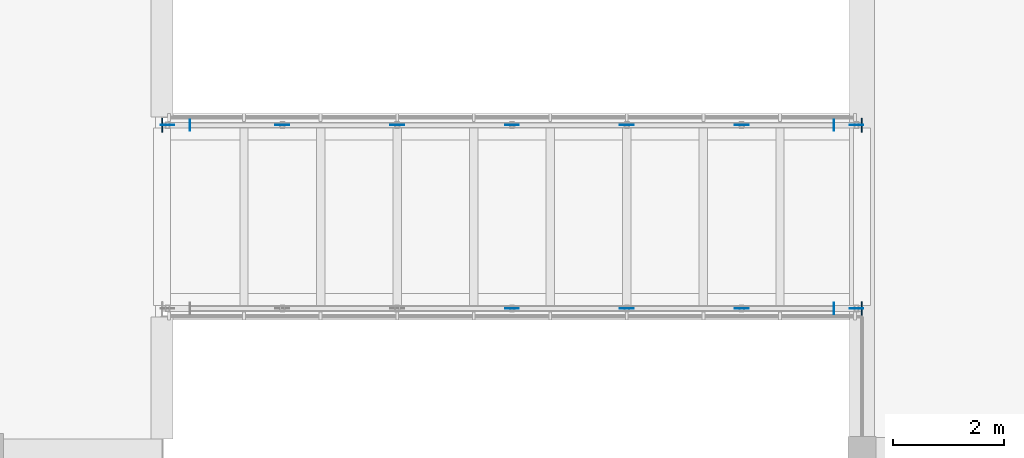
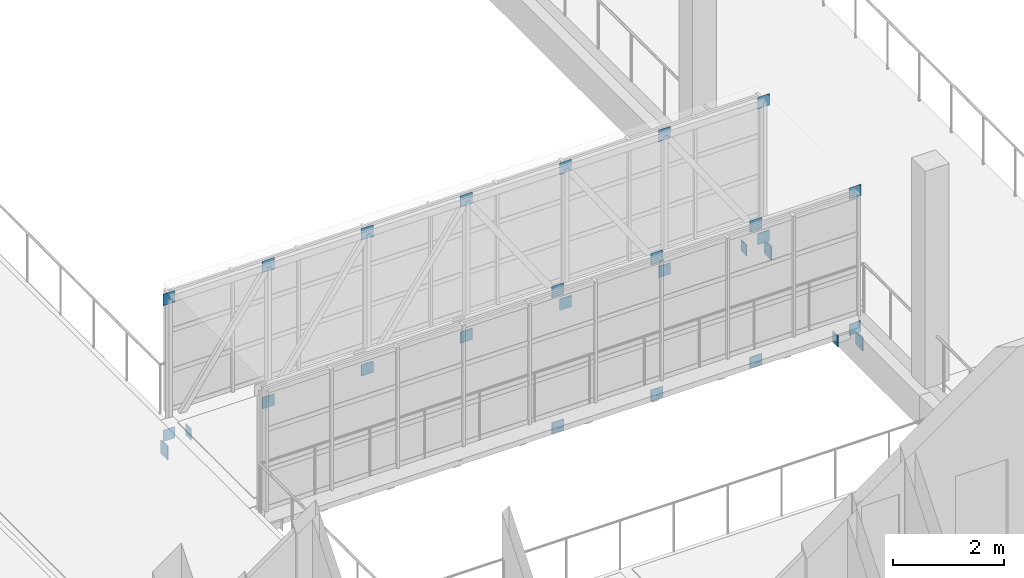
# One storey, part 40 of 67: 28 plates.
"""IFC4 building model written with IfcOpenShell, lengths in metres."""

from ifc_helpers import new_model, si_unit, direction, frame, origin, origin_2d, place, context, subcontext, project, spatial, rectangle, extrude, material, layer, layer_set, type_object, element, save


model = new_model("IFC4")

# Units and contexts
model_context = context("Model", 3, precision=1e-05, world=origin(), true_north=direction((0.0, 1.0)))
body_context = subcontext(model_context, "Body", "Model", "MODEL_VIEW")
ifc_project = project(units=[si_unit("LENGTHUNIT", "METRE"), si_unit("AREAUNIT", "SQUARE_METRE"), si_unit("VOLUMEUNIT", "CUBIC_METRE"), si_unit("PLANEANGLEUNIT", "RADIAN"), si_unit("MASSUNIT", "GRAM", prefix="KILO")], contexts=[model_context])

# Site, building, storey
site_placement = place(None, origin())
site = spatial("IfcSite", under=ifc_project, at=site_placement, CompositionType="ELEMENT")
building_placement = place(site_placement, origin())
building = spatial("IfcBuilding", under=site, at=building_placement, Name="Kiln Court Media Centre", CompositionType="ELEMENT")
storey_placement = place(building_placement, frame((0.0, 0.0, 19.800048828125)))
storey = spatial("IfcBuildingStorey", under=building, at=storey_placement, Name="L04", CompositionType="ELEMENT", Elevation=19.800048828125)

# Plates
ifc_material_1 = material(Name="Steel ASTM A572 Gr 50", Category="steel")
ifc_layer_1 = layer(ifc_material_1, 0.011962890625)
ifc_layer_set_1 = layer_set([ifc_layer_1], Name="Steel ASTM A572 Gr 50 12x200x250 connection plate")
plate_type_1 = type_object("IfcPlateType", Name="Steel ASTM A572 Gr 50 12x200x250 connection plate", PredefinedType="USERDEFINED", material=ifc_layer_set_1)
for number, where, z_axis, x_axis, name in (
    (1, (49.89404296875, 36.14990234375, -0.6201171875), (0.0, 0.0, 1.0), (1.0, 0.0, 0.0), "bridge BR-L04-FOY-11 side truss 1 end 2 seat beam connection plate"),
    (2, (38.305908203125, 39.449951171875, -0.6201171875), (0.0, 0.0, 1.0), (1.0, 0.0, 0.0), "bridge BR-L04-FOY-11 side truss 2 end 1 seat beam connection plate"),
    (3, (49.89404296875, 39.449951171875, -0.6201171875), (0.0, 0.0, 1.0), (1.0, 0.0, 0.0), "bridge BR-L04-FOY-11 side truss 2 end 2 seat beam connection plate"),
):
    element("IfcPlate", number, at=place(storey_placement, frame(where, z_axis=z_axis, x_axis=x_axis)), inside=storey, type_object=plate_type_1, Name=name, ObjectType="CONNECTION PLATE", PredefinedType="USERDEFINED", context=body_context, shape_type="SweptSolid", body=[
        extrude(rectangle(XDim=0.011962890625, YDim=0.199951171875, at=origin_2d()), origin(), (0.0, 0.0, 1.0), 0.25),
    ])
ifc_material_2 = material(Name="Steel ASTM A572 Gr 50", Category="steel")
ifc_layer_2 = layer(ifc_material_2, 0.02001953125)
ifc_layer_set_2 = layer_set([ifc_layer_2], Name="Steel ASTM A572 Gr 50 20x250x300 seat bracket plate")
plate_type_2 = type_object("IfcPlateType", Name="Steel ASTM A572 Gr 50 20x250x300 seat bracket plate", PredefinedType="USERDEFINED", material=ifc_layer_set_2)
for number, where, z_axis, x_axis, name in (
    (4, (50.39501953125, 36.14990234375, -0.8662109375), (0.0, 0.0, 1.0), (1.0, 0.0, 0.0), "bridge BR-L04-FOY-11 side truss 1 end 2 seat bracket plate"),
    (5, (37.804931640625, 39.449951171875, -0.8662109375), (0.0, 0.0, 1.0), (1.0, 0.0, 0.0), "bridge BR-L04-FOY-11 side truss 2 end 1 seat bracket plate"),
    (6, (50.39501953125, 39.449951171875, -0.8662109375), (0.0, 0.0, 1.0), (1.0, 0.0, 0.0), "bridge BR-L04-FOY-11 side truss 2 end 2 seat bracket plate"),
):
    element("IfcPlate", number, at=place(storey_placement, frame(where, z_axis=z_axis, x_axis=x_axis)), inside=storey, type_object=plate_type_2, Name=name, ObjectType="SEAT BRACKET PLATE", PredefinedType="USERDEFINED", context=body_context, shape_type="SweptSolid", body=[
        extrude(rectangle(XDim=0.02001953125, YDim=0.25, at=origin_2d()), origin(), (0.0, 0.0, 1.0), 0.300048828125),
    ])
ifc_material_3 = material(Name="Steel ASTM A572 Gr 50", Category="steel")
ifc_layer_3 = layer(ifc_material_3, 0.010009765625)
ifc_layer_set_3 = layer_set([ifc_layer_3], Name="Steel ASTM A572 Gr 50 250x250x10 connection plate BR")
plate_type_3 = type_object("IfcPlateType", Name="Steel ASTM A572 Gr 50 250x250x10 connection plate BR", PredefinedType="USERDEFINED", material=ifc_layer_set_3)
for number, where, z_axis, x_axis, name in (
    (7, (37.89990234375, 39.449951171875, -0.525146484375), (0.0, 0.0, 1.0), (1.0, 0.0, 0.0), "BR node connection plate"),
    (8, (37.89990234375, 39.449951171875, 2.474853515625), (0.0, 0.0, 1.0), (1.0, 0.0, 0.0), "BR node connection plate"),
    (9, (39.966796875, 39.449951171875, -0.525146484375), (0.0, 0.0, 1.0), (1.0, 0.0, 0.0), "BR node connection plate"),
    (10, (39.966796875, 39.449951171875, 2.474853515625), (0.0, 0.0, 1.0), (1.0, 0.0, 0.0), "BR node connection plate"),
    (11, (42.033203125, 39.449951171875, -0.525146484375), (0.0, 0.0, 1.0), (1.0, 0.0, 0.0), "BR node connection plate"),
    (12, (42.033203125, 39.449951171875, 2.474853515625), (0.0, 0.0, 1.0), (1.0, 0.0, 0.0), "BR node connection plate"),
    (13, (44.10009765625, 36.14990234375, -0.525146484375), (0.0, 0.0, 1.0), (1.0, 0.0, 0.0), "BR node connection plate"),
    (14, (44.10009765625, 36.14990234375, 2.474853515625), (0.0, 0.0, 1.0), (1.0, 0.0, 0.0), "BR node connection plate"),
    (15, (44.10009765625, 39.449951171875, -0.525146484375), (0.0, 0.0, 1.0), (1.0, 0.0, 0.0), "BR node connection plate"),
    (16, (44.10009765625, 39.449951171875, 2.474853515625), (0.0, 0.0, 1.0), (1.0, 0.0, 0.0), "BR node connection plate"),
    (17, (46.166748046875, 36.14990234375, -0.525146484375), (0.0, 0.0, 1.0), (1.0, 0.0, 0.0), "BR node connection plate"),
    (18, (46.166748046875, 36.14990234375, 2.474853515625), (0.0, 0.0, 1.0), (1.0, 0.0, 0.0), "BR node connection plate"),
    (19, (46.166748046875, 39.449951171875, -0.525146484375), (0.0, 0.0, 1.0), (1.0, 0.0, 0.0), "BR node connection plate"),
    (20, (46.166748046875, 39.449951171875, 2.474853515625), (0.0, 0.0, 1.0), (1.0, 0.0, 0.0), "BR node connection plate"),
    (21, (48.2333984375, 36.14990234375, -0.525146484375), (0.0, 0.0, 1.0), (1.0, 0.0, 0.0), "BR node connection plate"),
    (22, (48.2333984375, 36.14990234375, 2.474853515625), (0.0, 0.0, 1.0), (1.0, 0.0, 0.0), "BR node connection plate"),
    (23, (48.2333984375, 39.449951171875, -0.525146484375), (0.0, 0.0, 1.0), (1.0, 0.0, 0.0), "BR node connection plate"),
    (24, (48.2333984375, 39.449951171875, 2.474853515625), (0.0, 0.0, 1.0), (1.0, 0.0, 0.0), "BR node connection plate"),
    (25, (50.300048828125, 36.14990234375, -0.525146484375), (0.0, 0.0, 1.0), (1.0, 0.0, 0.0), "BR node connection plate"),
    (26, (50.300048828125, 36.14990234375, 2.474853515625), (0.0, 0.0, 1.0), (1.0, 0.0, 0.0), "BR node connection plate"),
    (27, (50.300048828125, 39.449951171875, -0.525146484375), (0.0, 0.0, 1.0), (1.0, 0.0, 0.0), "BR node connection plate"),
    (28, (50.300048828125, 39.449951171875, 2.474853515625), (0.0, 0.0, 1.0), (1.0, 0.0, 0.0), "BR node connection plate"),
):
    element("IfcPlate", number, at=place(storey_placement, frame(where, z_axis=z_axis, x_axis=x_axis)), inside=storey, type_object=plate_type_3, Name=name, ObjectType="CONNECTION PLATE", PredefinedType="USERDEFINED", context=body_context, shape_type="SweptSolid", body=[
        extrude(rectangle(XDim=0.25, YDim=0.010009765625, at=origin_2d()), origin(), (0.0, 0.0, 1.0), 0.25),
    ])

save(model, "model.ifc")
